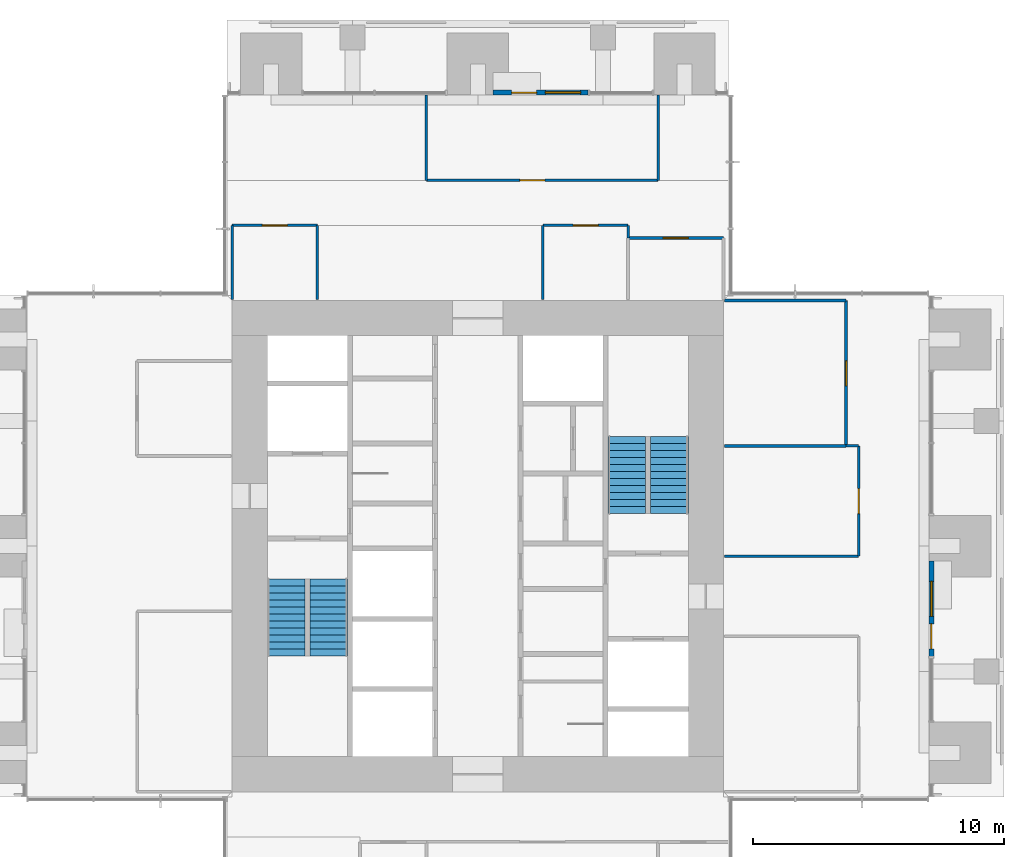
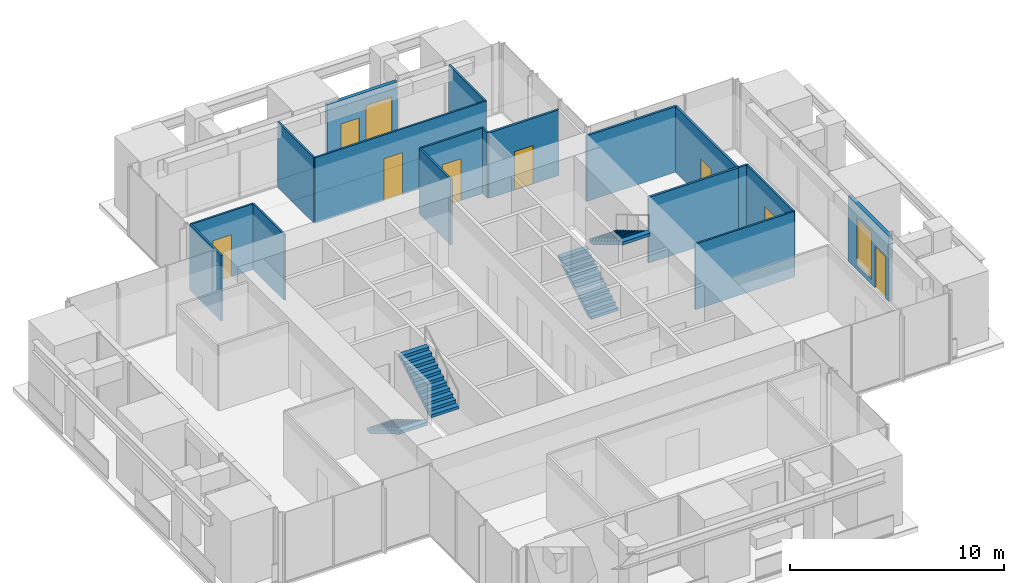
# One storey, part 14 of 17: 18 walls, 8 doors, 4 stair flights, 2 windows, 10 openings, 2 elements without a shape of their own.
"""IFC4 building model written with IfcOpenShell, lengths in metres."""

from ifc_helpers import new_model, si_unit, direction, frame, frame_2d, origin, place, context, subcontext, project, spatial, polyline, rectangle, outline, extrude, material, layer, layer_set, type_object, element, fill, aggregate, save


model = new_model("IFC4")

# Units and contexts
model_context = context("Model", 3, precision=1e-05, world=origin(), true_north=direction((0.0, 1.0)))
body_context = subcontext(model_context, "Body", "Model", "MODEL_VIEW")
ifc_project = project(units=[si_unit("LENGTHUNIT", "METRE"), si_unit("AREAUNIT", "SQUARE_METRE"), si_unit("VOLUMEUNIT", "CUBIC_METRE"), si_unit("PLANEANGLEUNIT", "RADIAN"), si_unit("MASSUNIT", "GRAM", prefix="KILO")], contexts=[model_context])

# Site, building, storey
site_placement = place(None, origin())
site = spatial("IfcSite", under=ifc_project, at=site_placement, CompositionType="ELEMENT")
building_placement = place(site_placement, origin())
building = spatial("IfcBuilding", under=site, at=building_placement, Name="Svetlomir Tower", CompositionType="ELEMENT")
storey_placement = place(building_placement, frame((0.0, 0.0, 170.5)))
storey = spatial("IfcBuildingStorey", under=building, at=storey_placement, Name="L40", CompositionType="ELEMENT", Elevation=170.5)

# Wall, openings, door, window
ifc_material_1 = material(Name="Bronze anodised aluminium glazed screen", Category="aluminium")
ifc_layer_1 = layer(ifc_material_1, 0.199951171875)
ifc_layer_set_1 = layer_set([ifc_layer_1], Name="Bronze anodised aluminium glazed screen")
wall_type_1 = type_object("IfcWallType", Name="BALCONY SCREEN WALL 200", PredefinedType="USERDEFINED", material=ifc_layer_set_1)
wall_1_placement = place(storey_placement, frame((39.10009765625, 16.60009765625, 0.0), z_axis=(0.0, 0.0, 1.0), x_axis=(0.0, 1.0, 0.0)))
wall_1 = element("IfcWall", 1, at=wall_1_placement, inside=storey, type_object=wall_type_1, Name="Balcony screen E", ObjectType="GLAZED SCREEN", PredefinedType="USERDEFINED", context=body_context, shape_type="SweptSolid", body=[
    extrude(rectangle(XDim=3.7998046875, YDim=0.199951171875, at=frame_2d((1.89990234375, 0.0))), origin(), (0.0, 0.0, 1.0), 3.75),
])
opening_1_placement = place(wall_1_placement, frame((0.300048828125, 0.0, 0.0)))
opening_1 = element("IfcOpeningElement", 2, at=opening_1_placement, cuts=wall_1, Name="Opening BD", PredefinedType="OPENING", context=body_context, shape_type="SweptSolid", body=[
    extrude(rectangle(XDim=1.0, YDim=2.39990234375, at=frame_2d((0.5, 1.199951171875))), frame((0.0, 0.10986328125, 0.0), z_axis=(0.0, -1.0, 0.0), x_axis=(1.0, 0.0, 0.0)), (0.0, 0.0, 1.0), 0.219970703125),
])
opening_2_placement = place(wall_1_placement, frame((1.60009765625, 0.0, 0.300048828125)))
opening_2 = element("IfcOpeningElement", 3, at=opening_2_placement, cuts=wall_1, Name="Opening WS2", PredefinedType="OPENING", context=body_context, shape_type="SweptSolid", body=[
    extrude(rectangle(XDim=1.39990234375, YDim=2.699951171875, at=frame_2d((0.699951171875, 1.35009765625))), frame((0.0, 0.10986328125, 0.0), z_axis=(0.0, -1.0, 0.0), x_axis=(1.0, 0.0, 0.0)), (0.0, 0.0, 1.0), 0.219970703125),
])
ifc_material_2 = material(Name="Bronze anodised aluminium glazed door", Category="aluminium")
door_type_1 = type_object("IfcDoorType", Name="BALCONY DOOR BD 1000x2400", OperationType="SINGLE_SWING_LEFT", PredefinedType="DOOR", material=ifc_material_2)
door_1_placement = place(opening_1_placement, origin())
door_1 = element("IfcDoor", 4, at=door_1_placement, inside=storey, type_object=door_type_1, Name="Balcony screen E door", OperationType="SINGLE_SWING_LEFT", OverallHeight=2.39990234375, OverallWidth=1.0, PredefinedType="DOOR", context=body_context, shape_type="SweptSolid", body=[
    extrude(rectangle(XDim=1.0, YDim=2.39990234375, at=frame_2d((0.5, 1.199951171875))), frame((0.0, 0.02490234375, 0.0), z_axis=(0.0, -1.0, 0.0), x_axis=(1.0, 0.0, 0.0)), (0.0, 0.0, 1.0), 0.050048828125),
])
fill(opening_1, door_1)
ifc_material_3 = material(Name="Bronze anodised aluminium window", Category="aluminium")
window_type = type_object("IfcWindowType", Name="SCREEN WINDOW WS2 1400x2700", PartitioningType="SINGLE_PANEL", PredefinedType="WINDOW", material=ifc_material_3)
window_1_placement = place(opening_2_placement, origin())
window_1 = element("IfcWindow", 5, at=window_1_placement, inside=storey, type_object=window_type, Name="Balcony screen E window 1", OverallHeight=2.699951171875, OverallWidth=1.39990234375, PartitioningType="SINGLE_PANEL", PredefinedType="WINDOW", context=body_context, shape_type="SweptSolid", body=[
    extrude(rectangle(XDim=1.39990234375, YDim=2.699951171875, at=frame_2d((0.699951171875, 1.35009765625))), frame((0.0, 0.030029296875, 0.0), z_axis=(0.0, -1.0, 0.0), x_axis=(1.0, 0.0, 0.0)), (0.0, 0.0, 1.0), 0.06005859375),
])
fill(opening_2, window_1)

wall_2_placement = place(storey_placement, frame((25.39990234375, 39.10009765625, 0.0), z_axis=(0.0, 0.0, 1.0), x_axis=(-1.0, 0.0, 0.0)))
wall_2 = element("IfcWall", 6, at=wall_2_placement, inside=storey, type_object=wall_type_1, Name="Balcony screen N", ObjectType="GLAZED SCREEN", PredefinedType="USERDEFINED", context=body_context, shape_type="SweptSolid", body=[
    extrude(rectangle(XDim=3.7998046875, YDim=0.199951171875, at=frame_2d((1.89990234375, 0.0))), origin(), (0.0, 0.0, 1.0), 3.75),
])
opening_3_placement = place(wall_2_placement, frame((2.050048828125, 0.0, 0.0)))
opening_3 = element("IfcOpeningElement", 7, at=opening_3_placement, cuts=wall_2, Name="Opening BD", PredefinedType="OPENING", context=body_context, shape_type="SweptSolid", body=[
    extrude(rectangle(XDim=1.0, YDim=2.39990234375, at=frame_2d((0.5, 1.199951171875))), frame((0.0, 0.10986328125, 0.0), z_axis=(0.0, -1.0, 0.0), x_axis=(1.0, 0.0, 0.0)), (0.0, 0.0, 1.0), 0.219970703125),
])
opening_4_placement = place(wall_2_placement, frame((0.300048828125, 0.0, 0.300048828125)))
opening_4 = element("IfcOpeningElement", 8, at=opening_4_placement, cuts=wall_2, Name="Opening WS2", PredefinedType="OPENING", context=body_context, shape_type="SweptSolid", body=[
    extrude(rectangle(XDim=1.39990234375, YDim=2.699951171875, at=frame_2d((0.699951171875, 1.35009765625))), frame((0.0, 0.10986328125, 0.0), z_axis=(0.0, -1.0, 0.0), x_axis=(1.0, 0.0, 0.0)), (0.0, 0.0, 1.0), 0.219970703125),
])
door_2_placement = place(opening_3_placement, origin())
door_2 = element("IfcDoor", 9, at=door_2_placement, inside=storey, type_object=door_type_1, Name="Balcony screen N door", OperationType="SINGLE_SWING_LEFT", OverallHeight=2.39990234375, OverallWidth=1.0, PredefinedType="DOOR", context=body_context, shape_type="SweptSolid", body=[
    extrude(rectangle(XDim=1.0, YDim=2.39990234375, at=frame_2d((0.5, 1.199951171875))), frame((0.0, 0.02490234375, 0.0), z_axis=(0.0, -1.0, 0.0), x_axis=(1.0, 0.0, 0.0)), (0.0, 0.0, 1.0), 0.050048828125),
])
fill(opening_3, door_2)
window_2_placement = place(opening_4_placement, origin())
window_2 = element("IfcWindow", 10, at=window_2_placement, inside=storey, type_object=window_type, Name="Balcony screen N window 1", OverallHeight=2.699951171875, OverallWidth=1.39990234375, PartitioningType="SINGLE_PANEL", PredefinedType="WINDOW", context=body_context, shape_type="SweptSolid", body=[
    extrude(rectangle(XDim=1.39990234375, YDim=2.699951171875, at=frame_2d((0.699951171875, 1.35009765625))), frame((0.0, 0.030029296875, 0.0), z_axis=(0.0, -1.0, 0.0), x_axis=(1.0, 0.0, 0.0)), (0.0, 0.0, 1.0), 0.06005859375),
])
fill(opening_4, window_2)

# Wall
ifc_material_4 = material(Name="Framed laminated glass partition", Category="glass")
ifc_layer_2 = layer(ifc_material_4, 0.10009765625)
ifc_layer_set_2 = layer_set([ifc_layer_2], Name="Framed laminated glass partition")
wall_type_2 = type_object("IfcWallType", Name="GLAZED PARTITION 100", PredefinedType="PARTITIONING", material=ifc_layer_set_2)
wall_3_placement = place(storey_placement, frame((11.199951171875, 30.85009765625, 0.0), z_axis=(0.0, 0.0, 1.0), x_axis=(0.0, 1.0, 0.0)))
element("IfcWall", 11, at=wall_3_placement, inside=storey, type_object=wall_type_2, Name="Glazed partition L40", PredefinedType="PARTITIONING", context=body_context, shape_type="SweptSolid", body=[
    extrude(rectangle(XDim=2.949951171875, YDim=0.10009765625, at=frame_2d((1.47509765625, 0.0))), origin(), (0.0, 0.0, 1.0), 3.75),
])

# Wall, opening, door
wall_4_placement = place(storey_placement, frame((11.199951171875, 33.800048828125, 0.0), z_axis=(0.0, 0.0, 1.0), x_axis=(1.0, 0.0, 0.0)))
wall_4 = element("IfcWall", 12, at=wall_4_placement, inside=storey, type_object=wall_type_2, Name="Glazed partition L40", PredefinedType="PARTITIONING", context=body_context, shape_type="SweptSolid", body=[
    extrude(rectangle(XDim=3.400146484375, YDim=0.10009765625, at=frame_2d((1.7001953125, 0.0))), origin(), (0.0, 0.0, 1.0), 3.75),
])
opening_5_placement = place(wall_4_placement, frame((1.199951171875, 0.0, 0.0)))
opening_5 = element("IfcOpeningElement", 13, at=opening_5_placement, cuts=wall_4, Name="Opening DG", PredefinedType="OPENING", context=body_context, shape_type="SweptSolid", body=[
    extrude(rectangle(XDim=1.0, YDim=2.39990234375, at=frame_2d((0.5, 1.199951171875))), frame((0.0, 0.06005859375, 0.0), z_axis=(0.0, -1.0, 0.0), x_axis=(1.0, 0.0, 0.0)), (0.0, 0.0, 1.0), 0.1201171875),
])
ifc_material_5 = material(Name="Framed laminated glass door", Category="glass")
door_type_2 = type_object("IfcDoorType", Name="GLAZED DOOR DG 1000x2400", OperationType="SINGLE_SWING_LEFT", PredefinedType="DOOR", material=ifc_material_5)
door_3_placement = place(opening_5_placement, origin())
door_3 = element("IfcDoor", 14, at=door_3_placement, inside=storey, type_object=door_type_2, Name="Hardware lab door L40", OperationType="SINGLE_SWING_LEFT", OverallHeight=2.39990234375, OverallWidth=1.0, PredefinedType="DOOR", context=body_context, shape_type="SweptSolid", body=[
    extrude(rectangle(XDim=1.0, YDim=2.39990234375, at=frame_2d((0.5, 1.199951171875))), frame((0.0, 0.02490234375, 0.0), z_axis=(0.0, -1.0, 0.0), x_axis=(1.0, 0.0, 0.0)), (0.0, 0.0, 1.0), 0.050048828125),
])
fill(opening_5, door_3)

# Walls
wall_5_placement = place(storey_placement, frame((14.60009765625, 30.85009765625, 0.0), z_axis=(0.0, 0.0, 1.0), x_axis=(0.0, 1.0, 0.0)))
element("IfcWall", 15, at=wall_5_placement, inside=storey, type_object=wall_type_2, Name="Glazed partition L40", PredefinedType="PARTITIONING", context=body_context, shape_type="SweptSolid", body=[
    extrude(rectangle(XDim=2.949951171875, YDim=0.10009765625, at=frame_2d((1.47509765625, 0.0))), origin(), (0.0, 0.0, 1.0), 3.75),
])
wall_6_placement = place(storey_placement, frame((18.949951171875, 35.60009765625, 0.0), z_axis=(0.0, 0.0, 1.0), x_axis=(0.0, 1.0, 0.0)))
element("IfcWall", 16, at=wall_6_placement, inside=storey, type_object=wall_type_2, Name="Glazed partition L40", PredefinedType="PARTITIONING", context=body_context, shape_type="SweptSolid", body=[
    extrude(rectangle(XDim=3.39990234375, YDim=0.10009765625, at=frame_2d((1.699951171875, 0.0))), origin(), (0.0, 0.0, 1.0), 3.75),
])

# Wall, opening, door
wall_7_placement = place(storey_placement, frame((18.949951171875, 35.60009765625, 0.0), z_axis=(0.0, 0.0, 1.0), x_axis=(1.0, 0.0, 0.0)))
wall_7 = element("IfcWall", 17, at=wall_7_placement, inside=storey, type_object=wall_type_2, Name="Glazed partition L40", PredefinedType="PARTITIONING", context=body_context, shape_type="SweptSolid", body=[
    extrude(rectangle(XDim=9.25, YDim=0.10009765625, at=frame_2d((4.625, 0.0))), origin(), (0.0, 0.0, 1.0), 3.75),
])
opening_6_placement = place(wall_7_placement, frame((3.72509765625, 0.0, 0.0)))
opening_6 = element("IfcOpeningElement", 18, at=opening_6_placement, cuts=wall_7, Name="Opening DG", PredefinedType="OPENING", context=body_context, shape_type="SweptSolid", body=[
    extrude(rectangle(XDim=1.0, YDim=2.39990234375, at=frame_2d((0.5, 1.199951171875))), frame((0.0, 0.06005859375, 0.0), z_axis=(0.0, -1.0, 0.0), x_axis=(1.0, 0.0, 0.0)), (0.0, 0.0, 1.0), 0.1201171875),
])
door_4_placement = place(opening_6_placement, origin())
door_4 = element("IfcDoor", 19, at=door_4_placement, inside=storey, type_object=door_type_2, Name="Loggia break-out and kitchenette door L40", OperationType="SINGLE_SWING_RIGHT", OverallHeight=2.39990234375, OverallWidth=1.0, PredefinedType="DOOR", context=body_context, shape_type="SweptSolid", body=[
    extrude(rectangle(XDim=1.0, YDim=2.39990234375, at=frame_2d((0.5, 1.199951171875))), frame((0.0, 0.02490234375, 0.0), z_axis=(0.0, -1.0, 0.0), x_axis=(1.0, 0.0, 0.0)), (0.0, 0.0, 1.0), 0.050048828125),
])
fill(opening_6, door_4)

# Wall
wall_8_placement = place(storey_placement, frame((23.60009765625, 30.85009765625, 0.0), z_axis=(0.0, 0.0, 1.0), x_axis=(0.0, 1.0, 0.0)))
element("IfcWall", 20, at=wall_8_placement, inside=storey, type_object=wall_type_2, Name="Glazed partition L40", PredefinedType="PARTITIONING", context=body_context, shape_type="SweptSolid", body=[
    extrude(rectangle(XDim=2.949951171875, YDim=0.10009765625, at=frame_2d((1.47509765625, 0.0))), origin(), (0.0, 0.0, 1.0), 3.75),
])

# Wall, opening, door
wall_9_placement = place(storey_placement, frame((23.60009765625, 33.800048828125, 0.0), z_axis=(0.0, 0.0, 1.0), x_axis=(1.0, 0.0, 0.0)))
wall_9 = element("IfcWall", 21, at=wall_9_placement, inside=storey, type_object=wall_type_2, Name="Glazed partition L40", PredefinedType="PARTITIONING", context=body_context, shape_type="SweptSolid", body=[
    extrude(rectangle(XDim=3.39990234375, YDim=0.10009765625, at=frame_2d((1.699951171875, 0.0))), origin(), (0.0, 0.0, 1.0), 3.75),
])
opening_7_placement = place(wall_9_placement, frame((1.199951171875, 0.0, 0.0)))
opening_7 = element("IfcOpeningElement", 22, at=opening_7_placement, cuts=wall_9, Name="Opening DG", PredefinedType="OPENING", context=body_context, shape_type="SweptSolid", body=[
    extrude(rectangle(XDim=1.0, YDim=2.39990234375, at=frame_2d((0.5, 1.199951171875))), frame((0.0, 0.06005859375, 0.0), z_axis=(0.0, -1.0, 0.0), x_axis=(1.0, 0.0, 0.0)), (0.0, 0.0, 1.0), 0.1201171875),
])
door_5_placement = place(opening_7_placement, origin())
door_5 = element("IfcDoor", 23, at=door_5_placement, inside=storey, type_object=door_type_2, Name="Focus room door L40", OperationType="SINGLE_SWING_RIGHT", OverallHeight=2.39990234375, OverallWidth=1.0, PredefinedType="DOOR", context=body_context, shape_type="SweptSolid", body=[
    extrude(rectangle(XDim=1.0, YDim=2.39990234375, at=frame_2d((0.5, 1.199951171875))), frame((0.0, 0.02490234375, 0.0), z_axis=(0.0, -1.0, 0.0), x_axis=(1.0, 0.0, 0.0)), (0.0, 0.0, 1.0), 0.050048828125),
])
fill(opening_7, door_5)

# Walls
wall_10_placement = place(storey_placement, frame((27.0, 33.300048828125, 0.0), z_axis=(0.0, 0.0, 1.0), x_axis=(0.0, 1.0, 0.0)))
element("IfcWall", 24, at=wall_10_placement, inside=storey, type_object=wall_type_2, Name="Glazed partition L40", PredefinedType="PARTITIONING", context=body_context, shape_type="SweptSolid", body=[
    extrude(rectangle(XDim=0.5, YDim=0.10009765625, at=frame_2d((0.25, 0.0))), origin(), (0.0, 0.0, 1.0), 3.75),
])
wall_11_placement = place(storey_placement, frame((28.199951171875, 35.60009765625, 0.0), z_axis=(0.0, 0.0, 1.0), x_axis=(0.0, 1.0, 0.0)))
element("IfcWall", 25, at=wall_11_placement, inside=storey, type_object=wall_type_2, Name="Glazed partition L40", PredefinedType="PARTITIONING", context=body_context, shape_type="SweptSolid", body=[
    extrude(rectangle(XDim=3.39990234375, YDim=0.10009765625, at=frame_2d((1.699951171875, 0.0))), origin(), (0.0, 0.0, 1.0), 3.75),
])
wall_12_placement = place(storey_placement, frame((30.85009765625, 20.60009765625, 0.0), z_axis=(0.0, 0.0, 1.0), x_axis=(1.0, 0.0, 0.0)))
element("IfcWall", 26, at=wall_12_placement, inside=storey, type_object=wall_type_2, Name="Glazed partition L40", PredefinedType="PARTITIONING", context=body_context, shape_type="SweptSolid", body=[
    extrude(rectangle(XDim=5.349853515625, YDim=0.10009765625, at=frame_2d((2.6748046875, 0.0))), origin(), (0.0, 0.0, 1.0), 3.75),
])
wall_13_placement = place(storey_placement, frame((35.699951171875, 25.0, 0.0), z_axis=(0.0, 0.0, 1.0), x_axis=(1.0, 0.0, 0.0)))
element("IfcWall", 27, at=wall_13_placement, inside=storey, type_object=wall_type_2, Name="Glazed partition L40", PredefinedType="PARTITIONING", context=body_context, shape_type="SweptSolid", body=[
    extrude(rectangle(XDim=0.5, YDim=0.10009765625, at=frame_2d((0.25, 0.0))), origin(), (0.0, 0.0, 1.0), 3.75),
])

# Wall, opening, door
wall_14_placement = place(storey_placement, frame((36.199951171875, 20.60009765625, 0.0), z_axis=(0.0, 0.0, 1.0), x_axis=(0.0, 1.0, 0.0)))
wall_14 = element("IfcWall", 28, at=wall_14_placement, inside=storey, type_object=wall_type_2, Name="Glazed partition L40", PredefinedType="PARTITIONING", context=body_context, shape_type="SweptSolid", body=[
    extrude(rectangle(XDim=4.39990234375, YDim=0.10009765625, at=frame_2d((2.199951171875, 0.0))), origin(), (0.0, 0.0, 1.0), 3.75),
])
opening_8_placement = place(wall_14_placement, frame((1.699951171875, 0.0, 0.0)))
opening_8 = element("IfcOpeningElement", 29, at=opening_8_placement, cuts=wall_14, Name="Opening DG", PredefinedType="OPENING", context=body_context, shape_type="SweptSolid", body=[
    extrude(rectangle(XDim=1.0, YDim=2.39990234375, at=frame_2d((0.5, 1.199951171875))), frame((0.0, 0.06005859375, 0.0), z_axis=(0.0, -1.0, 0.0), x_axis=(1.0, 0.0, 0.0)), (0.0, 0.0, 1.0), 0.1201171875),
])
door_6_placement = place(opening_8_placement, origin())
door_6 = element("IfcDoor", 30, at=door_6_placement, inside=storey, type_object=door_type_2, Name="Meeting room, 6 seats door L40", OperationType="SINGLE_SWING_LEFT", OverallHeight=2.39990234375, OverallWidth=1.0, PredefinedType="DOOR", context=body_context, shape_type="SweptSolid", body=[
    extrude(rectangle(XDim=1.0, YDim=2.39990234375, at=frame_2d((0.5, 1.199951171875))), frame((0.0, 0.02490234375, 0.0), z_axis=(0.0, -1.0, 0.0), x_axis=(1.0, 0.0, 0.0)), (0.0, 0.0, 1.0), 0.050048828125),
])
fill(opening_8, door_6)

ifc_material_6 = material(Name="Gypsum board on steel studs", Category="steel")
ifc_layer_3 = layer(ifc_material_6, 0.1201171875)
ifc_layer_set_3 = layer_set([ifc_layer_3], Name="Gypsum board on steel studs")
wall_type_3 = type_object("IfcWallType", Name="PARTITION 120", PredefinedType="PARTITIONING", material=ifc_layer_set_3)
wall_15_placement = place(storey_placement, frame((27.0, 33.300048828125, 0.0), z_axis=(0.0, 0.0, 1.0), x_axis=(1.0, 0.0, 0.0)))
wall_15 = element("IfcWall", 31, at=wall_15_placement, inside=storey, type_object=wall_type_3, Name="Partition L40", PredefinedType="PARTITIONING", context=body_context, shape_type="SweptSolid", body=[
    extrude(rectangle(XDim=3.800048828125, YDim=0.1201171875, at=frame_2d((1.89990234375, 0.0))), origin(), (0.0, 0.0, 1.0), 3.75),
])
opening_9_placement = place(wall_15_placement, frame((1.39990234375, 0.0, 0.0)))
opening_9 = element("IfcOpeningElement", 32, at=opening_9_placement, cuts=wall_15, Name="Opening DR", PredefinedType="OPENING", context=body_context, shape_type="SweptSolid", body=[
    extrude(rectangle(XDim=1.0, YDim=2.199951171875, at=frame_2d((0.5, 1.10009765625))), frame((0.0, 0.070068359375, 0.0), z_axis=(0.0, -1.0, 0.0), x_axis=(1.0, 0.0, 0.0)), (0.0, 0.0, 1.0), 0.14013671875),
])
ifc_material_7 = material(Name="Timber door, glazed side light", Category="wood")
door_type_3 = type_object("IfcDoorType", Name="DOOR DR 1000x2200", OperationType="SINGLE_SWING_LEFT", PredefinedType="DOOR", material=ifc_material_7)
door_7_placement = place(opening_9_placement, origin())
door_7 = element("IfcDoor", 33, at=door_7_placement, inside=storey, type_object=door_type_3, Name="Store door L40", OperationType="SINGLE_SWING_LEFT", OverallHeight=2.199951171875, OverallWidth=1.0, PredefinedType="DOOR", context=body_context, shape_type="SweptSolid", body=[
    extrude(rectangle(XDim=1.0, YDim=2.199951171875, at=frame_2d((0.5, 1.10009765625))), frame((0.0, 0.02490234375, 0.0), z_axis=(0.0, -1.0, 0.0), x_axis=(1.0, 0.0, 0.0)), (0.0, 0.0, 1.0), 0.050048828125),
])
fill(opening_9, door_7)

# Walls
for number, where, z_axis, x_axis, name in (
    (34, (30.85009765625, 25.0, 0.0), (0.0, 0.0, 1.0), (1.0, 0.0, 0.0), "Partition L40"),
    (35, (30.85009765625, 30.800048828125, 0.0), (0.0, 0.0, 1.0), (1.0, 0.0, 0.0), "Partition L40"),
):
    element("IfcWall", number, at=place(storey_placement, frame(where, z_axis=z_axis, x_axis=x_axis)), inside=storey, type_object=wall_type_3, Name=name, PredefinedType="PARTITIONING", context=body_context, shape_type="SweptSolid", body=[
        extrude(rectangle(XDim=4.849853515625, YDim=0.1201171875, at=frame_2d((2.4248046875, 0.0))), origin(), (0.0, 0.0, 1.0), 3.75),
    ])

# Wall, opening, door
wall_16_placement = place(storey_placement, frame((35.699951171875, 25.0, 0.0), z_axis=(0.0, 0.0, 1.0), x_axis=(0.0, 1.0, 0.0)))
wall_16 = element("IfcWall", 36, at=wall_16_placement, inside=storey, type_object=wall_type_3, Name="Partition L40", PredefinedType="PARTITIONING", context=body_context, shape_type="SweptSolid", body=[
    extrude(rectangle(XDim=5.800048828125, YDim=0.1201171875, at=frame_2d((2.89990234375, 0.0))), origin(), (0.0, 0.0, 1.0), 3.75),
])
opening_10_placement = place(wall_16_placement, frame((2.39990234375, 0.0, 0.0)))
opening_10 = element("IfcOpeningElement", 37, at=opening_10_placement, cuts=wall_16, Name="Opening DR", PredefinedType="OPENING", context=body_context, shape_type="SweptSolid", body=[
    extrude(rectangle(XDim=1.0, YDim=2.199951171875, at=frame_2d((0.5, 1.10009765625))), frame((0.0, 0.070068359375, 0.0), z_axis=(0.0, -1.0, 0.0), x_axis=(1.0, 0.0, 0.0)), (0.0, 0.0, 1.0), 0.14013671875),
])
door_8_placement = place(opening_10_placement, origin())
door_8 = element("IfcDoor", 38, at=door_8_placement, inside=storey, type_object=door_type_3, Name="Print and materials room door L40", OperationType="SINGLE_SWING_RIGHT", OverallHeight=2.199951171875, OverallWidth=1.0, PredefinedType="DOOR", context=body_context, shape_type="SweptSolid", body=[
    extrude(rectangle(XDim=1.0, YDim=2.199951171875, at=frame_2d((0.5, 1.10009765625))), frame((0.0, 0.02490234375, 0.0), z_axis=(0.0, -1.0, 0.0), x_axis=(1.0, 0.0, 0.0)), (0.0, 0.0, 1.0), 0.050048828125),
])
fill(opening_10, door_8)

# Stair, stair flights
ifc_material_8 = material(Name="Concrete C60/75", Category="concrete")
stair_type = type_object("IfcStairType", Name="EXIT STAIR 3200 RISE 4000", PredefinedType="HALF_TURN_STAIR", material=ifc_material_8)
stair_1_placement = place(storey_placement, origin())
stair_1 = element("IfcStair", 39, at=stair_1_placement, inside=storey, type_object=stair_type, Name="Stair S1 L40 to L41", PredefinedType="HALF_TURN_STAIR")
ifc_material_9 = material(Name="Concrete C60/75", Category="concrete")
stair_flight_type = type_object("IfcStairFlightType", Name="STAIR FLIGHT 1500 OF 12 RISERS", PredefinedType="STRAIGHT", material=ifc_material_9)
stair_flight_1_placement = place(storey_placement, frame((13.35009765625, 19.699951171875, 0.0), z_axis=(0.0, 0.0, 1.0), x_axis=(0.0, -1.0, 0.0)))
stair_flight_1 = element("IfcStairFlight", 40, at=stair_flight_1_placement, type_object=stair_flight_type, Name="S1 flight 1", NumberOfRisers=12, NumberOfTreads=11, PredefinedType="STRAIGHT", RiserHeight=0.166666667, TreadLength=0.28, context=body_context, shape_type="SweptSolid", body=[
    extrude(outline(polyline([(0.0, 0.0), (0.0, 0.166748046875), (0.280029296875, 0.166748046875), (0.280029296875, 0.333251953125), (0.56005859375, 0.333251953125), (0.56005859375, 0.5), (0.840087890625, 0.5), (0.840087890625, 0.666748046875), (1.1201171875, 0.666748046875), (1.1201171875, 0.833251953125), (1.39990234375, 0.833251953125), (1.39990234375, 1.0), (1.679931640625, 1.0), (1.679931640625, 1.166748046875), (1.9599609375, 1.166748046875), (1.9599609375, 1.333251953125), (2.239990234375, 1.333251953125), (2.239990234375, 1.5), (2.52001953125, 1.5), (2.52001953125, 1.666748046875), (2.800048828125, 1.666748046875), (2.800048828125, 1.833251953125), (3.080078125, 1.833251953125), (3.080078125, 2.0), (3.080078125, 1.658935546875), (0.29296875, 0.0), (0.0, 0.0)])), frame((0.0, 0.75, 0.0), z_axis=(0.0, -1.0, 0.0), x_axis=(1.0, 0.0, 0.0)), (0.0, 0.0, 1.0), 1.5),
])
stair_flight_2_placement = place(storey_placement, frame((15.050048828125, 16.6201171875, 2.0), z_axis=(0.0, 0.0, 1.0), x_axis=(0.0, 1.0, 0.0)))
stair_flight_2 = element("IfcStairFlight", 41, at=stair_flight_2_placement, type_object=stair_flight_type, Name="S1 flight 2", NumberOfRisers=12, NumberOfTreads=11, PredefinedType="STRAIGHT", RiserHeight=0.166666667, TreadLength=0.28, context=body_context, shape_type="SweptSolid", body=[
    extrude(outline(polyline([(0.0, 0.0), (0.0, 0.166748046875), (0.280029296875, 0.166748046875), (0.280029296875, 0.333251953125), (0.56005859375, 0.333251953125), (0.56005859375, 0.5), (0.840087890625, 0.5), (0.840087890625, 0.666748046875), (1.1201171875, 0.666748046875), (1.1201171875, 0.833251953125), (1.39990234375, 0.833251953125), (1.39990234375, 1.0), (1.679931640625, 1.0), (1.679931640625, 1.166748046875), (1.9599609375, 1.166748046875), (1.9599609375, 1.333251953125), (2.239990234375, 1.333251953125), (2.239990234375, 1.5), (2.52001953125, 1.5), (2.52001953125, 1.666748046875), (2.800048828125, 1.666748046875), (2.800048828125, 1.833251953125), (3.080078125, 1.833251953125), (3.080078125, 2.0), (3.080078125, 1.658935546875), (0.29296875, 0.0), (0.0, 0.0)])), frame((0.0, 0.75, 0.0), z_axis=(0.0, -1.0, 0.0), x_axis=(1.0, 0.0, 0.0)), (0.0, 0.0, 1.0), 1.5),
])
aggregate(stair_1, [stair_flight_1, stair_flight_2])

stair_2_placement = place(storey_placement, origin())
stair_2 = element("IfcStair", 42, at=stair_2_placement, inside=storey, type_object=stair_type, Name="Stair S2 L40 to L41", PredefinedType="HALF_TURN_STAIR")
stair_flight_3_placement = place(storey_placement, frame((26.949951171875, 22.300048828125, 0.0), z_axis=(0.0, 0.0, 1.0), x_axis=(0.0, 1.0, 0.0)))
stair_flight_3 = element("IfcStairFlight", 43, at=stair_flight_3_placement, type_object=stair_flight_type, Name="S2 flight 1", NumberOfRisers=12, NumberOfTreads=11, PredefinedType="STRAIGHT", RiserHeight=0.166666667, TreadLength=0.28, context=body_context, shape_type="SweptSolid", body=[
    extrude(outline(polyline([(0.0, 0.0), (0.0, 0.166748046875), (0.280029296875, 0.166748046875), (0.280029296875, 0.333251953125), (0.56005859375, 0.333251953125), (0.56005859375, 0.5), (0.840087890625, 0.5), (0.840087890625, 0.666748046875), (1.1201171875, 0.666748046875), (1.1201171875, 0.833251953125), (1.39990234375, 0.833251953125), (1.39990234375, 1.0), (1.679931640625, 1.0), (1.679931640625, 1.166748046875), (1.9599609375, 1.166748046875), (1.9599609375, 1.333251953125), (2.239990234375, 1.333251953125), (2.239990234375, 1.5), (2.52001953125, 1.5), (2.52001953125, 1.666748046875), (2.800048828125, 1.666748046875), (2.800048828125, 1.833251953125), (3.080078125, 1.833251953125), (3.080078125, 2.0), (3.080078125, 1.658935546875), (0.29296875, 0.0), (0.0, 0.0)])), frame((0.0, 0.75, 0.0), z_axis=(0.0, -1.0, 0.0), x_axis=(1.0, 0.0, 0.0)), (0.0, 0.0, 1.0), 1.5),
])
stair_flight_4_placement = place(storey_placement, frame((28.64990234375, 25.3798828125, 2.0), z_axis=(0.0, 0.0, 1.0), x_axis=(0.0, -1.0, 0.0)))
stair_flight_4 = element("IfcStairFlight", 44, at=stair_flight_4_placement, type_object=stair_flight_type, Name="S2 flight 2", NumberOfRisers=12, NumberOfTreads=11, PredefinedType="STRAIGHT", RiserHeight=0.166666667, TreadLength=0.28, context=body_context, shape_type="SweptSolid", body=[
    extrude(outline(polyline([(0.0, 0.0), (0.0, 0.166748046875), (0.280029296875, 0.166748046875), (0.280029296875, 0.333251953125), (0.56005859375, 0.333251953125), (0.56005859375, 0.5), (0.840087890625, 0.5), (0.840087890625, 0.666748046875), (1.1201171875, 0.666748046875), (1.1201171875, 0.833251953125), (1.39990234375, 0.833251953125), (1.39990234375, 1.0), (1.679931640625, 1.0), (1.679931640625, 1.166748046875), (1.9599609375, 1.166748046875), (1.9599609375, 1.333251953125), (2.239990234375, 1.333251953125), (2.239990234375, 1.5), (2.52001953125, 1.5), (2.52001953125, 1.666748046875), (2.800048828125, 1.666748046875), (2.800048828125, 1.833251953125), (3.080078125, 1.833251953125), (3.080078125, 2.0), (3.080078125, 1.658935546875), (0.29296875, 0.0), (0.0, 0.0)])), frame((0.0, 0.75, 0.0), z_axis=(0.0, -1.0, 0.0), x_axis=(1.0, 0.0, 0.0)), (0.0, 0.0, 1.0), 1.5),
])
aggregate(stair_2, [stair_flight_3, stair_flight_4])

save(model, "model.ifc")
